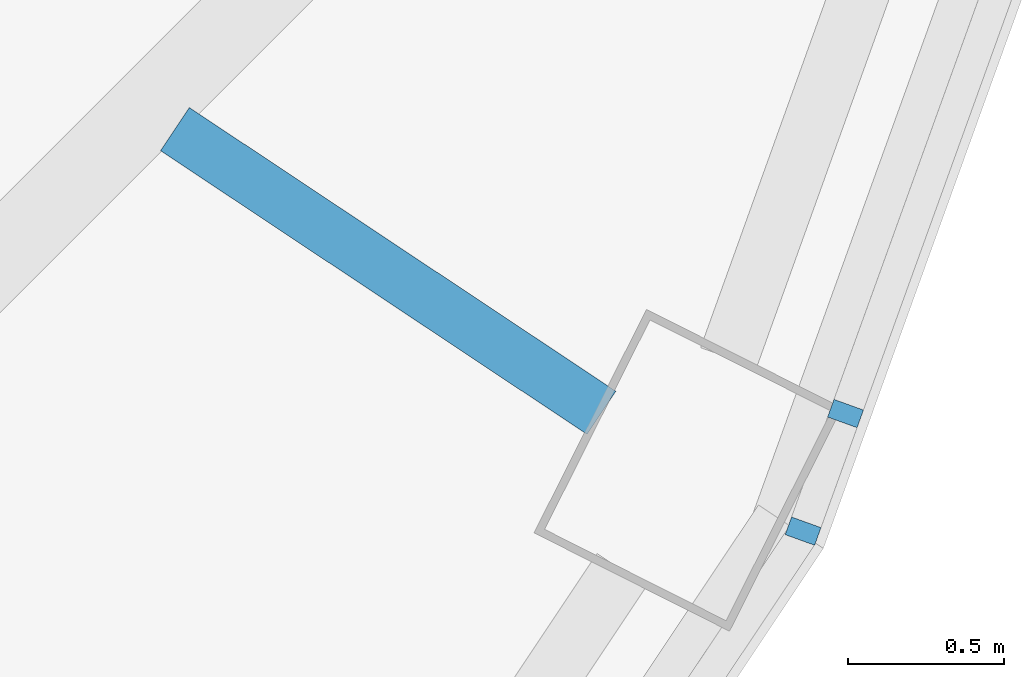
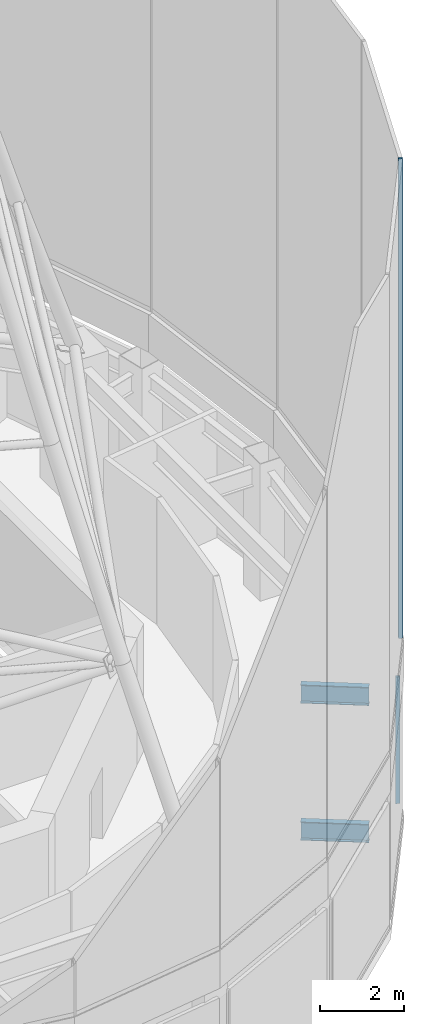
# One storey, part 7 of 25: 2 beams, 2 members, 2 elements without a shape of their own.
"""IFC4 building model written with IfcOpenShell, lengths in metres."""

from ifc_helpers import new_model, si_unit, direction, frame, origin, origin_2d, place, context, subcontext, project, spatial, rectangle, i_section, extrude, material, layer, layer_set, material_profile, profile_set, type_object, element, aggregate, save


model = new_model("IFC4")

# Units and contexts
model_context = context("Model", 3, precision=1e-05, world=origin(), true_north=direction((0.0, 1.0)))
body_context = subcontext(model_context, "Body", "Model", "MODEL_VIEW")
ifc_project = project(units=[si_unit("LENGTHUNIT", "METRE"), si_unit("AREAUNIT", "SQUARE_METRE"), si_unit("VOLUMEUNIT", "CUBIC_METRE"), si_unit("PLANEANGLEUNIT", "RADIAN"), si_unit("MASSUNIT", "GRAM", prefix="KILO")], contexts=[model_context])

# Site, building, storey
site_placement = place(None, origin())
site = spatial("IfcSite", under=ifc_project, at=site_placement, CompositionType="ELEMENT")
building_placement = place(site_placement, origin())
building = spatial("IfcBuilding", under=site, at=building_placement, Name="Nagisa Residences", CompositionType="ELEMENT")
storey_placement = place(building_placement, frame((0.0, 0.0, 340.89990234375)))
storey = spatial("IfcBuildingStorey", under=building, at=storey_placement, Name="L84", CompositionType="ELEMENT", Elevation=340.89990234375)

# Curtain wall, member
ifc_material_1 = material(Name="Aluminium curtain wall system", Category="aluminium")
ifc_layer = layer(ifc_material_1, 0.159912109375)
ifc_layer_set = layer_set([ifc_layer], Name="CW5 CURTAIN WALL")
curtain_wall_type = type_object("IfcCurtainWallType", Name="CW5 CURTAIN WALL", PredefinedType="NOTDEFINED", material=ifc_layer_set)
curtain_wall_1_placement = place(storey_placement, origin())
curtain_wall_1 = element("IfcCurtainWall", 1, at=curtain_wall_1_placement, inside=storey, type_object=curtain_wall_type, Name="cw:CW5:L84:22", PredefinedType="NOTDEFINED")
ifc_material_2 = material(Name="Aluminium", Category="aluminium")
ifc_material_profile_1 = material_profile(ifc_material_2, rectangle(XDim=0.10009765625, YDim=0.06005859375, at=origin_2d()), Name="CW5 MULLION 100x60")
ifc_profile_set_1 = profile_set([ifc_material_profile_1], Name="Aluminium")
member_type = type_object("IfcMemberType", Name="CW5 MULLION 100x60", PredefinedType="MULLION", material=ifc_profile_set_1)
member_1_placement = place(storey_placement, frame((14.793212890625, -9.318359375, 0.0), z_axis=(0.0, 0.0, 1.0), x_axis=(-0.940554456033, 0.339642923136, 0.0)))
member_1 = element("IfcMember", 2, at=member_1_placement, type_object=member_type, Name="CW5 mullion", PredefinedType="MULLION", context=body_context, shape_type="SweptSolid", body=[
    extrude(rectangle(XDim=0.10009765625, YDim=0.06005859375, at=origin_2d()), origin(), (0.0, 0.0, 1.0), 3.7001953125),
])
aggregate(curtain_wall_1, [member_1])

curtain_wall_2_placement = place(storey_placement, origin())
curtain_wall_2 = element("IfcCurtainWall", 3, at=curtain_wall_2_placement, inside=storey, type_object=curtain_wall_type, Name="cw:CW5:L84:top0:22", PredefinedType="NOTDEFINED")
member_2_placement = place(storey_placement, frame((14.657470703125, -9.694580078125, 5.10009765625), z_axis=(0.0, 0.0, 1.0), x_axis=(-0.940554456033, 0.339642923136, 0.0)))
member_2 = element("IfcMember", 4, at=member_2_placement, type_object=member_type, Name="CW5 mullion", PredefinedType="MULLION", context=body_context, shape_type="SweptSolid", body=[
    extrude(rectangle(XDim=0.10009765625, YDim=0.06005859375, at=origin_2d()), origin(), (0.0, 0.0, 1.0), 14.0),
])
aggregate(curtain_wall_2, [member_2])

# Beams
ifc_material_3 = material(Name="Steel ASTM A572 Gr 50", Category="steel")
ifc_material_profile_2 = material_profile(ifc_material_3, i_section(OverallWidth=0.166015625, OverallDepth=0.534912109375, WebThickness=0.01025390625, FlangeThickness=0.0166015625, at=origin_2d()), Name="W530x85")
ifc_profile_set_2 = profile_set([ifc_material_profile_2], Name="Steel ASTM A572 Gr 50")
beam_type = type_object("IfcBeamType", Name="Radial beam W530x85", PredefinedType="BEAM", material=ifc_profile_set_2)
for number, where, z_axis, x_axis, name in (
    (5, (14.012451171875, -9.31591796875, -0.5673828125), (-0.832714310154, 0.553702878505, 0.0), (-0.553702878505, -0.832714310154, 0.0), "beam:L84:rb23"),
    (6, (14.012451171875, -9.31591796875, 3.4326171875), (-0.832714310154, 0.553702878505, 0.0), (-0.553702878505, -0.832714310154, 0.0), "beam:L84:rrb23"),
):
    element("IfcBeam", number, at=place(storey_placement, frame(where, z_axis=z_axis, x_axis=x_axis)), inside=storey, type_object=beam_type, Name=name, PredefinedType="BEAM", context=body_context, shape_type="SweptSolid", body=[
        extrude(i_section(OverallWidth=0.166015625, OverallDepth=0.534912109375, WebThickness=0.01025390625, FlangeThickness=0.0166015625, at=origin_2d()), origin(), (0.0, 0.0, 1.0), 1.638916015625),
    ])

save(model, "model.ifc")
